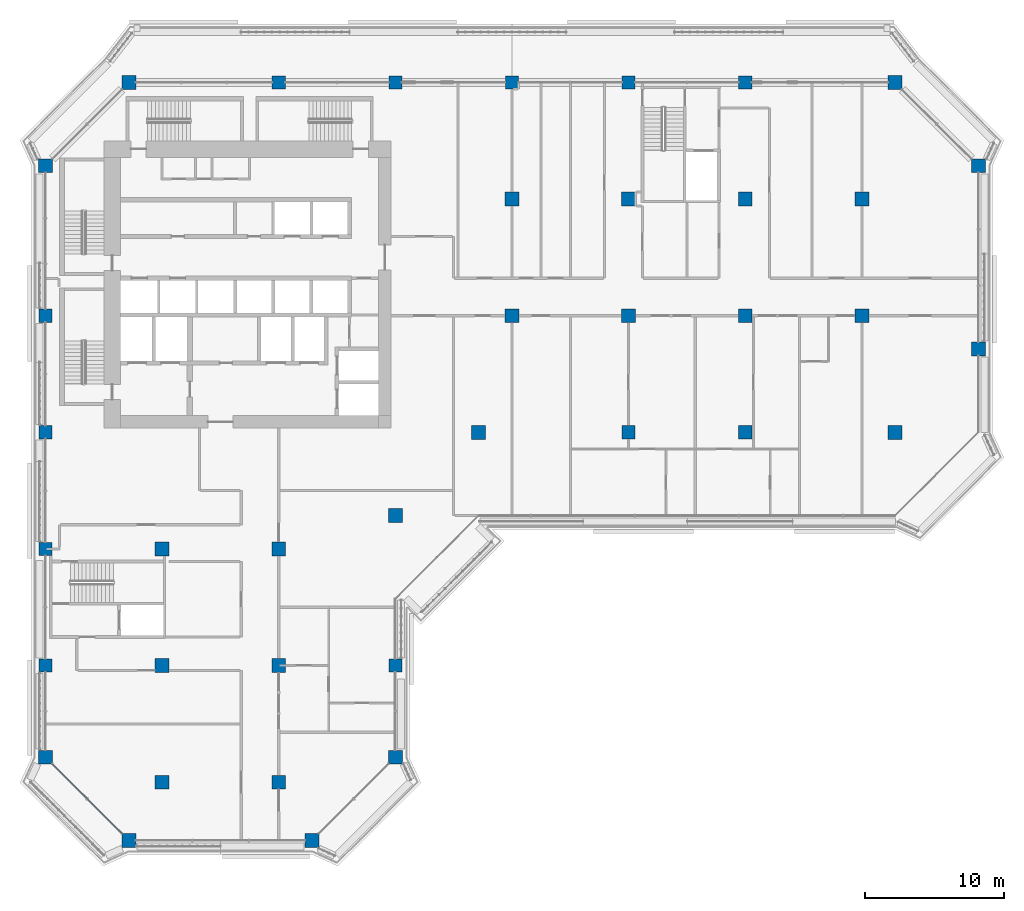
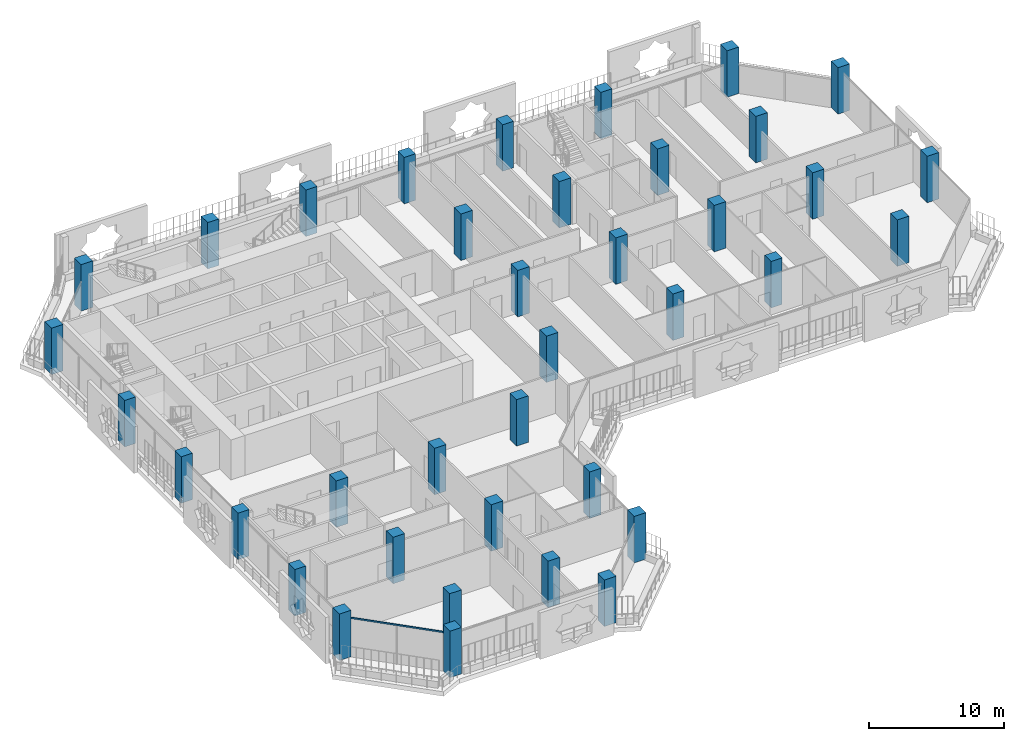
# One storey, part 1 of 22: 38 columns, 1 member, 1 element without a shape of its own.
"""IFC4 building model written with IfcOpenShell, lengths in metres."""

from ifc_helpers import new_model, si_unit, direction, frame, origin, origin_2d, place, context, subcontext, project, spatial, rectangle, extrude, material, layer, layer_set, material_profile, profile_set, type_object, element, aggregate, save


model = new_model("IFC4")

# Units and contexts
model_context = context("Model", 3, precision=1e-05, world=origin(), true_north=direction((0.0, 1.0)))
body_context = subcontext(model_context, "Body", "Model", "MODEL_VIEW")
ifc_project = project(units=[si_unit("LENGTHUNIT", "METRE"), si_unit("AREAUNIT", "SQUARE_METRE"), si_unit("VOLUMEUNIT", "CUBIC_METRE"), si_unit("PLANEANGLEUNIT", "RADIAN"), si_unit("MASSUNIT", "GRAM", prefix="KILO")], contexts=[model_context])

# Site, building, storey
site_placement = place(None, origin())
site = spatial("IfcSite", under=ifc_project, at=site_placement, CompositionType="ELEMENT")
building_placement = place(site_placement, origin())
building = spatial("IfcBuilding", under=site, at=building_placement, Name="Kawkab Arch Medical Tower", CompositionType="ELEMENT")
storey_placement = place(building_placement, frame((0.0, 0.0, 204.60009765625)))
storey = spatial("IfcBuildingStorey", under=building, at=storey_placement, Name="L47", CompositionType="ELEMENT", Elevation=204.60009765625)

# Columns
ifc_material_1 = material(Name="Concrete C50/60", Category="concrete")
ifc_material_profile_1 = material_profile(ifc_material_1, rectangle(XDim=1.0, YDim=1.0, at=origin_2d()), Name="RC 1000x1000")
ifc_profile_set_1 = profile_set([ifc_material_profile_1], Name="Concrete C50/60")
column_type_1 = type_object("IfcColumnType", Name="RC 1000x1000 column C50/60", PredefinedType="COLUMN", material=ifc_profile_set_1)
for number, where, z_axis, x_axis, name in (
    (1, (6.0, 0.0, 0.0), (0.0, 0.0, 1.0), (1.0, 0.0, 0.0), "Column RC 1000x1000"),
    (2, (61.199951171875, 0.0, 0.0), (0.0, 0.0, 1.0), (1.0, 0.0, 0.0), "Column RC 1000x1000"),
    (3, (0.0, -6.0, 0.0), (0.0, 0.0, 1.0), (1.0, 0.0, 0.0), "Column RC 1000x1000"),
    (4, (67.199951171875, -6.0, 0.0), (0.0, 0.0, 1.0), (1.0, 0.0, 0.0), "Column RC 1000x1000"),
    (5, (33.60009765625, -8.39990234375, 0.0), (0.0, 0.0, 1.0), (1.0, 0.0, 0.0), "Column RC 1000x1000"),
    (6, (42.0, -8.39990234375, 0.0), (0.0, 0.0, 1.0), (1.0, 0.0, 0.0), "Column RC 1000x1000"),
    (7, (50.39990234375, -8.39990234375, 0.0), (0.0, 0.0, 1.0), (1.0, 0.0, 0.0), "Column RC 1000x1000"),
    (8, (58.800048828125, -8.39990234375, 0.0), (0.0, 0.0, 1.0), (1.0, 0.0, 0.0), "Column RC 1000x1000"),
    (9, (33.60009765625, -16.800048828125, 0.0), (0.0, 0.0, 1.0), (1.0, 0.0, 0.0), "Column RC 1000x1000"),
    (10, (42.0, -16.800048828125, 0.0), (0.0, 0.0, 1.0), (1.0, 0.0, 0.0), "Column RC 1000x1000"),
    (11, (50.39990234375, -16.800048828125, 0.0), (0.0, 0.0, 1.0), (1.0, 0.0, 0.0), "Column RC 1000x1000"),
    (12, (58.800048828125, -16.800048828125, 0.0), (0.0, 0.0, 1.0), (1.0, 0.0, 0.0), "Column RC 1000x1000"),
    (13, (67.199951171875, -19.199951171875, 0.0), (0.0, 0.0, 1.0), (1.0, 0.0, 0.0), "Column RC 1000x1000"),
    (14, (31.199951171875, -25.199951171875, 0.0), (0.0, 0.0, 1.0), (1.0, 0.0, 0.0), "Column RC 1000x1000"),
    (15, (61.199951171875, -25.199951171875, 0.0), (0.0, 0.0, 1.0), (1.0, 0.0, 0.0), "Column RC 1000x1000"),
    (16, (25.199951171875, -31.199951171875, 0.0), (0.0, 0.0, 1.0), (1.0, 0.0, 0.0), "Column RC 1000x1000"),
    (17, (8.39990234375, -33.60009765625, 0.0), (0.0, 0.0, 1.0), (1.0, 0.0, 0.0), "Column RC 1000x1000"),
    (18, (16.800048828125, -33.60009765625, 0.0), (0.0, 0.0, 1.0), (1.0, 0.0, 0.0), "Column RC 1000x1000"),
    (19, (8.39990234375, -42.0, 0.0), (0.0, 0.0, 1.0), (1.0, 0.0, 0.0), "Column RC 1000x1000"),
    (20, (16.800048828125, -42.0, 0.0), (0.0, 0.0, 1.0), (1.0, 0.0, 0.0), "Column RC 1000x1000"),
    (21, (0.0, -48.60009765625, 0.0), (0.0, 0.0, 1.0), (1.0, 0.0, 0.0), "Column RC 1000x1000"),
    (22, (25.199951171875, -48.60009765625, 0.0), (0.0, 0.0, 1.0), (1.0, 0.0, 0.0), "Column RC 1000x1000"),
    (23, (8.39990234375, -50.39990234375, 0.0), (0.0, 0.0, 1.0), (1.0, 0.0, 0.0), "Column RC 1000x1000"),
    (24, (16.800048828125, -50.39990234375, 0.0), (0.0, 0.0, 1.0), (1.0, 0.0, 0.0), "Column RC 1000x1000"),
    (25, (6.0, -54.60009765625, 0.0), (0.0, 0.0, 1.0), (1.0, 0.0, 0.0), "Column RC 1000x1000"),
    (26, (19.199951171875, -54.60009765625, 0.0), (0.0, 0.0, 1.0), (1.0, 0.0, 0.0), "Column RC 1000x1000"),
):
    element("IfcColumn", number, at=place(storey_placement, frame(where, z_axis=z_axis, x_axis=x_axis)), inside=storey, type_object=column_type_1, Name=name, PredefinedType="COLUMN", context=body_context, shape_type="SweptSolid", body=[
        extrude(rectangle(XDim=1.0, YDim=1.0, at=origin_2d()), origin(), (0.0, 0.0, 1.0), 4.199951171875),
    ])
ifc_material_2 = material(Name="Concrete C50/60", Category="concrete")
ifc_material_profile_2 = material_profile(ifc_material_2, rectangle(XDim=0.949951171875, YDim=0.949951171875, at=origin_2d()), Name="RC 950x950")
ifc_profile_set_2 = profile_set([ifc_material_profile_2], Name="Concrete C50/60")
column_type_2 = type_object("IfcColumnType", Name="RC 950x950 column C50/60", PredefinedType="COLUMN", material=ifc_profile_set_2)
for number, where, z_axis, x_axis, name in (
    (27, (16.800048828125, 0.0, 0.0), (0.0, 0.0, 1.0), (1.0, 0.0, 0.0), "Column RC 950x950"),
    (28, (25.199951171875, 0.0, 0.0), (0.0, 0.0, 1.0), (1.0, 0.0, 0.0), "Column RC 950x950"),
    (29, (33.60009765625, 0.0, 0.0), (0.0, 0.0, 1.0), (1.0, 0.0, 0.0), "Column RC 950x950"),
    (30, (42.0, 0.0, 0.0), (0.0, 0.0, 1.0), (1.0, 0.0, 0.0), "Column RC 950x950"),
    (31, (50.39990234375, 0.0, 0.0), (0.0, 0.0, 1.0), (1.0, 0.0, 0.0), "Column RC 950x950"),
    (32, (0.0, -16.800048828125, 0.0), (0.0, 0.0, 1.0), (1.0, 0.0, 0.0), "Column RC 950x950"),
    (33, (0.0, -25.199951171875, 0.0), (0.0, 0.0, 1.0), (1.0, 0.0, 0.0), "Column RC 950x950"),
    (34, (42.0, -25.199951171875, 0.0), (0.0, 0.0, 1.0), (1.0, 0.0, 0.0), "Column RC 950x950"),
    (35, (50.39990234375, -25.199951171875, 0.0), (0.0, 0.0, 1.0), (1.0, 0.0, 0.0), "Column RC 950x950"),
    (36, (0.0, -33.60009765625, 0.0), (0.0, 0.0, 1.0), (1.0, 0.0, 0.0), "Column RC 950x950"),
    (37, (0.0, -42.0, 0.0), (0.0, 0.0, 1.0), (1.0, 0.0, 0.0), "Column RC 950x950"),
    (38, (25.199951171875, -42.0, 0.0), (0.0, 0.0, 1.0), (1.0, 0.0, 0.0), "Column RC 950x950"),
):
    element("IfcColumn", number, at=place(storey_placement, frame(where, z_axis=z_axis, x_axis=x_axis)), inside=storey, type_object=column_type_2, Name=name, PredefinedType="COLUMN", context=body_context, shape_type="SweptSolid", body=[
        extrude(rectangle(XDim=0.949951171875, YDim=0.949951171875, at=origin_2d()), origin(), (0.0, 0.0, 1.0), 4.199951171875),
    ])

# Curtain wall, member
ifc_material_3 = material(Name="Bronze anodised aluminium curtain wall frame", Category="aluminium")
ifc_layer = layer(ifc_material_3, 0.159912109375)
ifc_layer_set = layer_set([ifc_layer], Name="Bronze anodised aluminium curtain wall frame")
curtain_wall_type = type_object("IfcCurtainWallType", Name="CW2 chamfer curtain wall", PredefinedType="NOTDEFINED", material=ifc_layer_set)
curtain_wall_placement = place(storey_placement, origin())
curtain_wall = element("IfcCurtainWall", 39, at=curtain_wall_placement, inside=storey, type_object=curtain_wall_type, Name="CW2 Chamfer curtain wall R02", PredefinedType="NOTDEFINED")
ifc_material_4 = material(Name="Bronze anodised aluminium curtain wall frame", Category="aluminium")
ifc_material_profile_3 = material_profile(ifc_material_4, rectangle(XDim=0.06005859375, YDim=0.139892578125, at=origin_2d()), Name="AL 60x140")
ifc_profile_set_3 = profile_set([ifc_material_profile_3], Name="Bronze anodised aluminium curtain wall frame")
member_type = type_object("IfcMemberType", Name="CW2 transom 140 x 60", PredefinedType="USERDEFINED", material=ifc_profile_set_3)
member_placement = place(storey_placement, frame((0.5, -49.10009765625, 3.52978515625), z_axis=(0.707106781187, -0.707106781187, 0.0), x_axis=(0.707106781187, 0.707106781187, 0.0)))
member = element("IfcMember", 40, at=member_placement, type_object=member_type, Name="CW2 transom 1", ObjectType="TRANSOM", PredefinedType="USERDEFINED", context=body_context, shape_type="SweptSolid", body=[
    extrude(rectangle(XDim=0.06005859375, YDim=0.139892578125, at=origin_2d()), origin(), (0.0, 0.0, 1.0), 7.071044921875),
])
aggregate(curtain_wall, [member])

save(model, "model.ifc")
